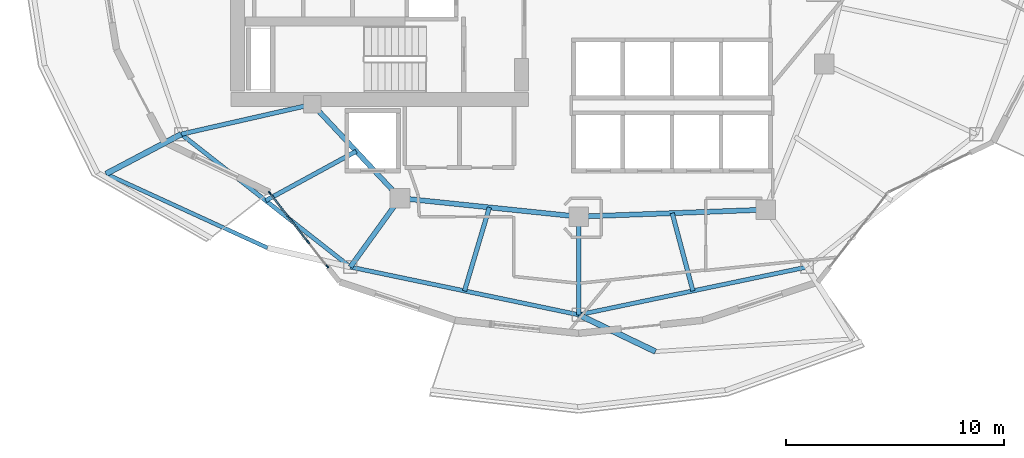
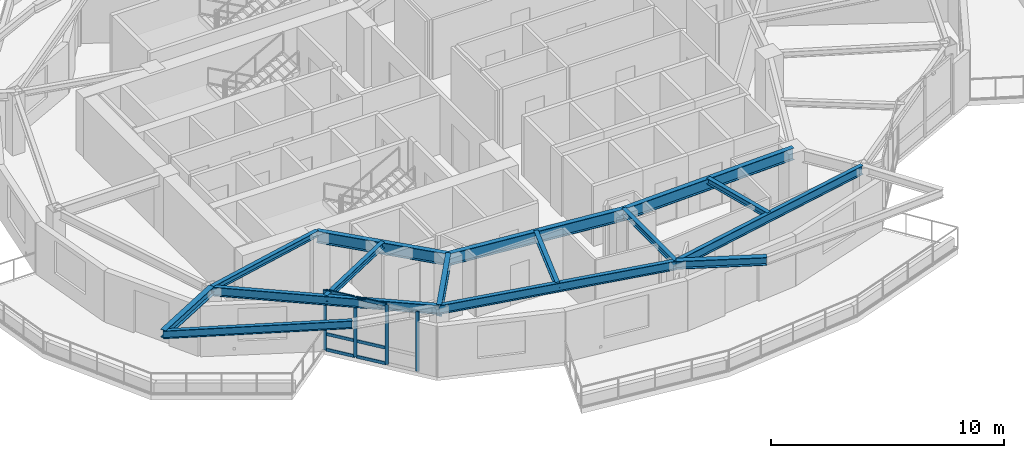
# One storey, part 2 of 18: 15 beams, 10 members, 1 element without a shape of its own.
"""IFC4 building model written with IfcOpenShell, lengths in metres."""

from ifc_helpers import new_model, si_unit, direction, frame, origin, origin_2d, place, context, subcontext, project, spatial, rectangle, i_section, extrude, material, layer, layer_set, material_profile, profile_set, type_object, element, aggregate, save


model = new_model("IFC4")

# Units and contexts
model_context = context("Model", 3, precision=1e-05, world=origin(), true_north=direction((0.0, 1.0)))
body_context = subcontext(model_context, "Body", "Model", "MODEL_VIEW")
ifc_project = project(units=[si_unit("LENGTHUNIT", "METRE"), si_unit("AREAUNIT", "SQUARE_METRE"), si_unit("VOLUMEUNIT", "CUBIC_METRE"), si_unit("PLANEANGLEUNIT", "RADIAN"), si_unit("MASSUNIT", "GRAM", prefix="KILO")], contexts=[model_context])

# Site, building, storey
site_placement = place(None, origin())
site = spatial("IfcSite", under=ifc_project, at=site_placement, CompositionType="ELEMENT")
building_placement = place(site_placement, origin())
building = spatial("IfcBuilding", under=site, at=building_placement, Name="Kolvaren Gate Tower and Convention Centre", CompositionType="ELEMENT")
storey_placement = place(building_placement, frame((0.0, 0.0, 176.699951171875)))
storey = spatial("IfcBuildingStorey", under=building, at=storey_placement, Name="L46", CompositionType="ELEMENT", Elevation=176.699951171875)

# Curtain wall, members
ifc_material_1 = material(Name="Anodized Architectural Aluminium Alloy 6063-T6", Category="aluminium")
ifc_layer = layer(ifc_material_1, 0.159912109375)
ifc_layer_set = layer_set([ifc_layer], Name="Anodized Architectural Aluminium Alloy 6063-T6")
curtain_wall_type = type_object("IfcCurtainWallType", Name="CW-HTL-UNIT", PredefinedType="NOTDEFINED", material=ifc_layer_set)
curtain_wall_placement = place(storey_placement, origin())
curtain_wall = element("IfcCurtainWall", 1, at=curtain_wall_placement, inside=storey, type_object=curtain_wall_type, Name="Tower L46 Unitised Curtain Wall CW-HTL-UNIT Bay 15", PredefinedType="NOTDEFINED")
ifc_material_profile_1 = material_profile(ifc_material_1, rectangle(XDim=0.06494140625, YDim=0.159912109375, at=origin_2d()), Name="CW-MEM-MUL-160")
ifc_profile_set_1 = profile_set([ifc_material_profile_1], Name="Anodized Architectural Aluminium Alloy 6063-T6")
member_type_1 = type_object("IfcMemberType", Name="CW-MEM-MUL-160", PredefinedType="MULLION", material=ifc_profile_set_1)
member_1_placement = place(storey_placement, frame((15.95654296875, 15.888427734375, 0.0), z_axis=(0.0, 0.0, 1.0), x_axis=(0.787414701294, 0.616423627213, 0.0)))
member_1 = element("IfcMember", 2, at=member_1_placement, type_object=member_type_1, Name="CW-03 mullion 1", PredefinedType="MULLION", context=body_context, shape_type="SweptSolid", body=[
    extrude(rectangle(XDim=0.06494140625, YDim=0.159912109375, at=origin_2d()), origin(), (0.0, 0.0, 1.0), 3.130126953125),
])
member_2_placement = place(storey_placement, frame((16.82958984375, 14.77294921875, 0.0), z_axis=(0.0, 0.0, 1.0), x_axis=(0.787414701294, 0.616423627213, 0.0)))
member_2 = element("IfcMember", 3, at=member_2_placement, type_object=member_type_1, Name="CW-03 mullion 2", PredefinedType="MULLION", context=body_context, shape_type="SweptSolid", body=[
    extrude(rectangle(XDim=0.06494140625, YDim=0.159912109375, at=origin_2d()), origin(), (0.0, 0.0, 1.0), 3.130126953125),
])
member_3_placement = place(storey_placement, frame((17.722900390625, 13.632080078125, 0.0), z_axis=(0.0, 0.0, 1.0), x_axis=(0.787414701294, 0.616423627213, 0.0)))
member_3 = element("IfcMember", 4, at=member_3_placement, type_object=member_type_1, Name="CW-03 mullion 3", PredefinedType="MULLION", context=body_context, shape_type="SweptSolid", body=[
    extrude(rectangle(XDim=0.06494140625, YDim=0.159912109375, at=origin_2d()), origin(), (0.0, 0.0, 1.0), 3.130126953125),
])
member_4_placement = place(storey_placement, frame((18.595947265625, 12.5166015625, 0.0), z_axis=(0.0, 0.0, 1.0), x_axis=(0.787414701294, 0.616423627213, 0.0)))
member_4 = element("IfcMember", 5, at=member_4_placement, type_object=member_type_1, Name="CW-03 mullion 4", PredefinedType="MULLION", context=body_context, shape_type="SweptSolid", body=[
    extrude(rectangle(XDim=0.06494140625, YDim=0.159912109375, at=origin_2d()), origin(), (0.0, 0.0, 1.0), 3.130126953125),
])
ifc_material_profile_2 = material_profile(ifc_material_1, rectangle(XDim=0.06494140625, YDim=0.159912109375, at=origin_2d()), Name="CW-MEM-TRN-160")
ifc_profile_set_2 = profile_set([ifc_material_profile_2], Name="Anodized Architectural Aluminium Alloy 6063-T6")
member_type_2 = type_object("IfcMemberType", Name="CW-MEM-TRN-160", PredefinedType="USERDEFINED", material=ifc_profile_set_2)
member_5_placement = place(storey_placement, frame((15.9765625, 15.86279296875, 0.032470703125), z_axis=(0.616376452985, -0.787451629121, 0.0), x_axis=(0.787451629121, 0.616376452985, 0.0)))
member_5 = element("IfcMember", 6, at=member_5_placement, type_object=member_type_2, Name="CW-03 transom 1.1", ObjectType="TRANSOM", PredefinedType="USERDEFINED", context=body_context, shape_type="SweptSolid", body=[
    extrude(rectangle(XDim=0.06494140625, YDim=0.159912109375, at=origin_2d()), origin(), (0.0, 0.0, 1.0), 1.3515625),
])
member_6_placement = place(storey_placement, frame((15.9765625, 15.86279296875, 0.85009765625), z_axis=(0.616376452985, -0.787451629121, 0.0), x_axis=(0.787451629121, 0.616376452985, 0.0)))
member_6 = element("IfcMember", 7, at=member_6_placement, type_object=member_type_2, Name="CW-03 transom 1.2", ObjectType="TRANSOM", PredefinedType="USERDEFINED", context=body_context, shape_type="SweptSolid", body=[
    extrude(rectangle(XDim=0.06494140625, YDim=0.159912109375, at=origin_2d()), origin(), (0.0, 0.0, 1.0), 1.3515625),
])
member_7_placement = place(storey_placement, frame((15.9765625, 15.86279296875, 3.09765625), z_axis=(0.616376452985, -0.787451629121, 0.0), x_axis=(0.787451629121, 0.616376452985, 0.0)))
member_7 = element("IfcMember", 8, at=member_7_placement, type_object=member_type_2, Name="CW-03 transom 1.3", ObjectType="TRANSOM", PredefinedType="USERDEFINED", context=body_context, shape_type="SweptSolid", body=[
    extrude(rectangle(XDim=0.06494140625, YDim=0.159912109375, at=origin_2d()), origin(), (0.0, 0.0, 1.0), 1.3515625),
])
member_8_placement = place(storey_placement, frame((16.849853515625, 14.74755859375, 0.032470703125), z_axis=(0.616355825524, -0.787467774796, 0.0), x_axis=(0.787467774796, 0.616355825524, 0.0)))
member_8 = element("IfcMember", 9, at=member_8_placement, type_object=member_type_2, Name="CW-03 transom 2.1", ObjectType="TRANSOM", PredefinedType="USERDEFINED", context=body_context, shape_type="SweptSolid", body=[
    extrude(rectangle(XDim=0.06494140625, YDim=0.159912109375, at=origin_2d()), origin(), (0.0, 0.0, 1.0), 1.384033203125),
])
member_9_placement = place(storey_placement, frame((16.849853515625, 14.74755859375, 0.85009765625), z_axis=(0.616355825524, -0.787467774796, 0.0), x_axis=(0.787467774796, 0.616355825524, 0.0)))
member_9 = element("IfcMember", 10, at=member_9_placement, type_object=member_type_2, Name="CW-03 transom 2.2", ObjectType="TRANSOM", PredefinedType="USERDEFINED", context=body_context, shape_type="SweptSolid", body=[
    extrude(rectangle(XDim=0.06494140625, YDim=0.159912109375, at=origin_2d()), origin(), (0.0, 0.0, 1.0), 1.384033203125),
])
member_10_placement = place(storey_placement, frame((16.849853515625, 14.74755859375, 3.09765625), z_axis=(0.616355825524, -0.787467774796, 0.0), x_axis=(0.787467774796, 0.616355825524, 0.0)))
member_10 = element("IfcMember", 11, at=member_10_placement, type_object=member_type_2, Name="CW-03 transom 2.3", ObjectType="TRANSOM", PredefinedType="USERDEFINED", context=body_context, shape_type="SweptSolid", body=[
    extrude(rectangle(XDim=0.06494140625, YDim=0.159912109375, at=origin_2d()), origin(), (0.0, 0.0, 1.0), 1.384033203125),
])
aggregate(curtain_wall, [member_1, member_2, member_3, member_4, member_5, member_6, member_7, member_8, member_9, member_10])

# Beams
ifc_material_2 = material(Name="Structural steel ASTM A992 Grade 345 MPa", Category="steel")
ifc_material_profile_3 = material_profile(ifc_material_2, i_section(OverallWidth=0.260009765625, OverallDepth=0.419921875, WebThickness=0.013427734375, FlangeThickness=0.0224609375, at=origin_2d()), Name="W410X132")
ifc_profile_set_3 = profile_set([ifc_material_profile_3], Name="Structural steel ASTM A992 Grade 345 MPa")
beam_type_1 = type_object("IfcBeamType", Name="STR-BM-W410X132", PredefinedType="BEAM", material=ifc_profile_set_3)
beam_1_placement = place(storey_placement, frame((11.898193359375, 18.581298828125, 2.920654296875), z_axis=(-0.884317267836, -0.466886463508, 0.0), x_axis=(0.466886463508, -0.884317267836, 0.0)))
element("IfcBeam", 12, at=beam_1_placement, inside=storey, type_object=beam_type_1, Name="Tower L47 Planted Balcony Outrigger Cantilever BC-2A", PredefinedType="BEAM", context=body_context, shape_type="SweptSolid", body=[
    extrude(i_section(OverallWidth=0.260009765625, OverallDepth=0.419921875, WebThickness=0.013427734375, FlangeThickness=0.0224609375, at=origin_2d()), origin(), (0.0, 0.0, 1.0), 3.89990234375),
])
beam_2_placement = place(storey_placement, frame((30.125, 10.300048828125, 2.920654296875), z_axis=(0.901728089649, -0.432303657558, 0.0), x_axis=(0.432303657558, 0.901728089649, 0.0)))
element("IfcBeam", 13, at=beam_2_placement, inside=storey, type_object=beam_type_1, Name="Tower L47 Planted Balcony Outrigger Cantilever BC-3A", PredefinedType="BEAM", context=body_context, shape_type="SweptSolid", body=[
    extrude(i_section(OverallWidth=0.260009765625, OverallDepth=0.419921875, WebThickness=0.013427734375, FlangeThickness=0.0224609375, at=origin_2d()), origin(), (0.0, 0.0, 1.0), 3.900146484375),
])
ifc_material_profile_4 = material_profile(ifc_material_2, i_section(OverallWidth=0.22998046875, OverallDepth=0.616943359375, WebThickness=0.01318359375, FlangeThickness=0.022216796875, at=origin_2d()), Name="W610X140")
ifc_profile_set_4 = profile_set([ifc_material_profile_4], Name="Structural steel ASTM A992 Grade 345 MPa")
beam_type_2 = type_object("IfcBeamType", Name="STR-BM-W610X140", PredefinedType="BEAM", material=ifc_profile_set_4)
beam_3_placement = place(storey_placement, frame((17.9140625, 19.949951171875, 2.821533203125), z_axis=(0.682557592987, -0.730831808459, 0.0), x_axis=(0.730831808459, 0.682557592987, 0.0)))
element("IfcBeam", 14, at=beam_3_placement, inside=storey, type_object=beam_type_2, Name="Tower L46 Primary Ring Girder G-06", PredefinedType="BEAM", context=body_context, shape_type="SweptSolid", body=[
    extrude(i_section(OverallWidth=0.22998046875, OverallDepth=0.616943359375, WebThickness=0.01318359375, FlangeThickness=0.022216796875, at=origin_2d()), origin(), (0.0, 0.0, 1.0), 5.88671875),
])
beam_4_placement = place(storey_placement, frame((21.93212890625, 15.647705078125, 2.821533203125), z_axis=(0.994690329115, -0.102913308978, 0.0), x_axis=(0.102913308978, 0.994690329115, 0.0)))
element("IfcBeam", 15, at=beam_4_placement, inside=storey, type_object=beam_type_2, Name="Tower L46 Primary Ring Girder G-07", PredefinedType="BEAM", context=body_context, shape_type="SweptSolid", body=[
    extrude(i_section(OverallWidth=0.22998046875, OverallDepth=0.616943359375, WebThickness=0.01318359375, FlangeThickness=0.022216796875, at=origin_2d()), origin(), (0.0, 0.0, 1.0), 8.236572265625),
])
beam_5_placement = place(storey_placement, frame((30.125, 14.800048828125, 2.821533203125), z_axis=(0.999301712453, 0.037364254142, 0.0), x_axis=(-0.037364254142, 0.999301712453, 0.0)))
element("IfcBeam", 16, at=beam_5_placement, inside=storey, type_object=beam_type_2, Name="Tower L46 Primary Ring Girder G-08", PredefinedType="BEAM", context=body_context, shape_type="SweptSolid", body=[
    extrude(i_section(OverallWidth=0.22998046875, OverallDepth=0.616943359375, WebThickness=0.01318359375, FlangeThickness=0.022216796875, at=origin_2d()), origin(), (0.0, 0.0, 1.0), 8.579345703125),
])
beam_6_placement = place(storey_placement, frame((21.93212890625, 15.647705078125, 2.821533203125), z_axis=(-0.585211215329, -0.810880899672, 0.0), x_axis=(0.810880899672, -0.585211215329, 0.0)))
element("IfcBeam", 17, at=beam_6_placement, inside=storey, type_object=beam_type_2, Name="Tower L46 Radial Floor Girder RB-09", PredefinedType="BEAM", context=body_context, shape_type="SweptSolid", body=[
    extrude(i_section(OverallWidth=0.22998046875, OverallDepth=0.616943359375, WebThickness=0.01318359375, FlangeThickness=0.022216796875, at=origin_2d()), origin(), (0.0, 0.0, 1.0), 3.8935546875),
])
ifc_material_profile_5 = material_profile(ifc_material_2, i_section(OverallWidth=0.205078125, OverallDepth=0.31005859375, WebThickness=0.009521484375, FlangeThickness=0.016357421875, at=origin_2d()), Name="W310X74")
ifc_profile_set_5 = profile_set([ifc_material_profile_5], Name="Structural steel ASTM A992 Grade 345 MPa")
beam_type_3 = type_object("IfcBeamType", Name="STR-JS-W310X74", PredefinedType="JOIST", material=ifc_profile_set_5)
beam_7_placement = place(storey_placement, frame((17.9140625, 19.949951171875, 2.97509765625), z_axis=(-0.975083464295, -0.221838314226, 0.0), x_axis=(0.221838314226, -0.975083464295, 0.0)))
element("IfcBeam", 18, at=beam_7_placement, inside=storey, type_object=beam_type_3, Name="Tower L46 Radial Floor Girder RB-08", PredefinedType="JOIST", context=body_context, shape_type="SweptSolid", body=[
    extrude(i_section(OverallWidth=0.205078125, OverallDepth=0.31005859375, WebThickness=0.009521484375, FlangeThickness=0.016357421875, at=origin_2d()), origin(), (0.0, 0.0, 1.0), 6.169677734375),
])
beam_8_placement = place(storey_placement, frame((30.125, 14.800048828125, 2.97509765625), z_axis=(0.0, -1.0, 0.0), x_axis=(1.0, 0.0, 0.0)))
element("IfcBeam", 19, at=beam_8_placement, inside=storey, type_object=beam_type_3, Name="Tower L46 Radial Floor Girder RB-10", PredefinedType="JOIST", context=body_context, shape_type="SweptSolid", body=[
    extrude(i_section(OverallWidth=0.205078125, OverallDepth=0.31005859375, WebThickness=0.009521484375, FlangeThickness=0.016357421875, at=origin_2d()), origin(), (0.0, 0.0, 1.0), 4.5),
])
beam_9_placement = place(storey_placement, frame((19.923095703125, 17.798828125, 2.97509765625), z_axis=(-0.877822491981, -0.478986088078, 0.0), x_axis=(0.478986088078, -0.877822491981, 0.0)))
element("IfcBeam", 20, at=beam_9_placement, inside=storey, type_object=beam_type_3, Name="Tower L46 Secondary Composite Floor Joist J-08.1", PredefinedType="JOIST", context=body_context, shape_type="SweptSolid", body=[
    extrude(i_section(OverallWidth=0.205078125, OverallDepth=0.31005859375, WebThickness=0.009521484375, FlangeThickness=0.016357421875, at=origin_2d()), origin(), (0.0, 0.0, 1.0), 4.724365234375),
])
beam_10_placement = place(storey_placement, frame((26.028564453125, 15.223876953125, 2.97509765625), z_axis=(-0.28518274301, -0.958473162425, 0.0), x_axis=(0.958473162425, -0.28518274301, 0.0)))
element("IfcBeam", 21, at=beam_10_placement, inside=storey, type_object=beam_type_3, Name="Tower L46 Secondary Composite Floor Joist J-09.1", PredefinedType="JOIST", context=body_context, shape_type="SweptSolid", body=[
    extrude(i_section(OverallWidth=0.205078125, OverallDepth=0.31005859375, WebThickness=0.009521484375, FlangeThickness=0.016357421875, at=origin_2d()), origin(), (0.0, 0.0, 1.0), 3.994384765625),
])
beam_11_placement = place(storey_placement, frame((34.41162109375, 14.960205078125, 2.97509765625), z_axis=(0.257238365181, -0.966347982602, 0.0), x_axis=(0.966347982602, 0.257238365181, 0.0)))
element("IfcBeam", 22, at=beam_11_placement, inside=storey, type_object=beam_type_3, Name="Tower L46 Secondary Composite Floor Joist J-10.1", PredefinedType="JOIST", context=body_context, shape_type="SweptSolid", body=[
    extrude(i_section(OverallWidth=0.205078125, OverallDepth=0.31005859375, WebThickness=0.009521484375, FlangeThickness=0.016357421875, at=origin_2d()), origin(), (0.0, 0.0, 1.0), 3.68896484375),
])
ifc_material_profile_6 = material_profile(ifc_material_2, i_section(OverallWidth=0.180908203125, OverallDepth=0.4169921875, WebThickness=0.010986328125, FlangeThickness=0.018310546875, at=origin_2d()), Name="W410X85")
ifc_profile_set_6 = profile_set([ifc_material_profile_6], Name="Structural steel ASTM A992 Grade 345 MPa")
beam_type_4 = type_object("IfcBeamType", Name="STR-SP-W410X85", PredefinedType="SPANDREL", material=ifc_profile_set_6)
beam_12_placement = place(storey_placement, frame((8.449462890625, 16.760498046875, 2.922119140625), z_axis=(0.909086110351, -0.416608262, 0.0), x_axis=(0.416608262, 0.909086110351, 0.0)))
element("IfcBeam", 23, at=beam_12_placement, inside=storey, type_object=beam_type_4, Name="Tower L47 Planted Balcony Header Tie Beam BT-2", PredefinedType="SPANDREL", context=body_context, shape_type="SweptSolid", body=[
    extrude(i_section(OverallWidth=0.180908203125, OverallDepth=0.4169921875, WebThickness=0.010986328125, FlangeThickness=0.018310546875, at=origin_2d()), origin(), (0.0, 0.0, 1.0), 8.14453125),
])
ifc_material_profile_7 = material_profile(ifc_material_2, i_section(OverallWidth=0.194091796875, OverallDepth=0.468994140625, WebThickness=0.0126953125, FlangeThickness=0.0205078125, at=origin_2d()), Name="W460X106")
ifc_profile_set_7 = profile_set([ifc_material_profile_7], Name="Structural steel ASTM A992 Grade 345 MPa")
beam_type_5 = type_object("IfcBeamType", Name="STR-SP-W460X106", PredefinedType="SPANDREL", material=ifc_profile_set_7)
beam_13_placement = place(storey_placement, frame((11.898193359375, 18.581298828125, 2.8955078125), z_axis=(0.786450621777, -0.617653154697, 0.0), x_axis=(0.617653154697, 0.786450621777, 0.0)))
element("IfcBeam", 24, at=beam_13_placement, inside=storey, type_object=beam_type_5, Name="Tower L46 Perimeter Spandrel Beam SP-08", PredefinedType="SPANDREL", context=body_context, shape_type="SweptSolid", body=[
    extrude(i_section(OverallWidth=0.194091796875, OverallDepth=0.468994140625, WebThickness=0.0126953125, FlangeThickness=0.0205078125, at=origin_2d()), origin(), (0.0, 0.0, 1.0), 9.861328125),
])
for number, where, z_axis, x_axis, name in (
    (25, (19.653564453125, 12.490478515625, 2.8955078125), (0.978814350133, -0.204749769168, 0.0), (0.204749769168, 0.978814350133, 0.0), "Tower L46 Perimeter Spandrel Beam SP-09"),
    (26, (30.125, 10.300048828125, 2.8955078125), (0.978814350133, 0.204749769168, 0.0), (-0.204749769168, 0.978814350133, 0.0), "Tower L46 Perimeter Spandrel Beam SP-10"),
):
    element("IfcBeam", number, at=place(storey_placement, frame(where, z_axis=z_axis, x_axis=x_axis)), inside=storey, type_object=beam_type_5, Name=name, PredefinedType="SPANDREL", context=body_context, shape_type="SweptSolid", body=[
        extrude(i_section(OverallWidth=0.194091796875, OverallDepth=0.468994140625, WebThickness=0.0126953125, FlangeThickness=0.0205078125, at=origin_2d()), origin(), (0.0, 0.0, 1.0), 10.697998046875),
    ])

save(model, "model.ifc")
